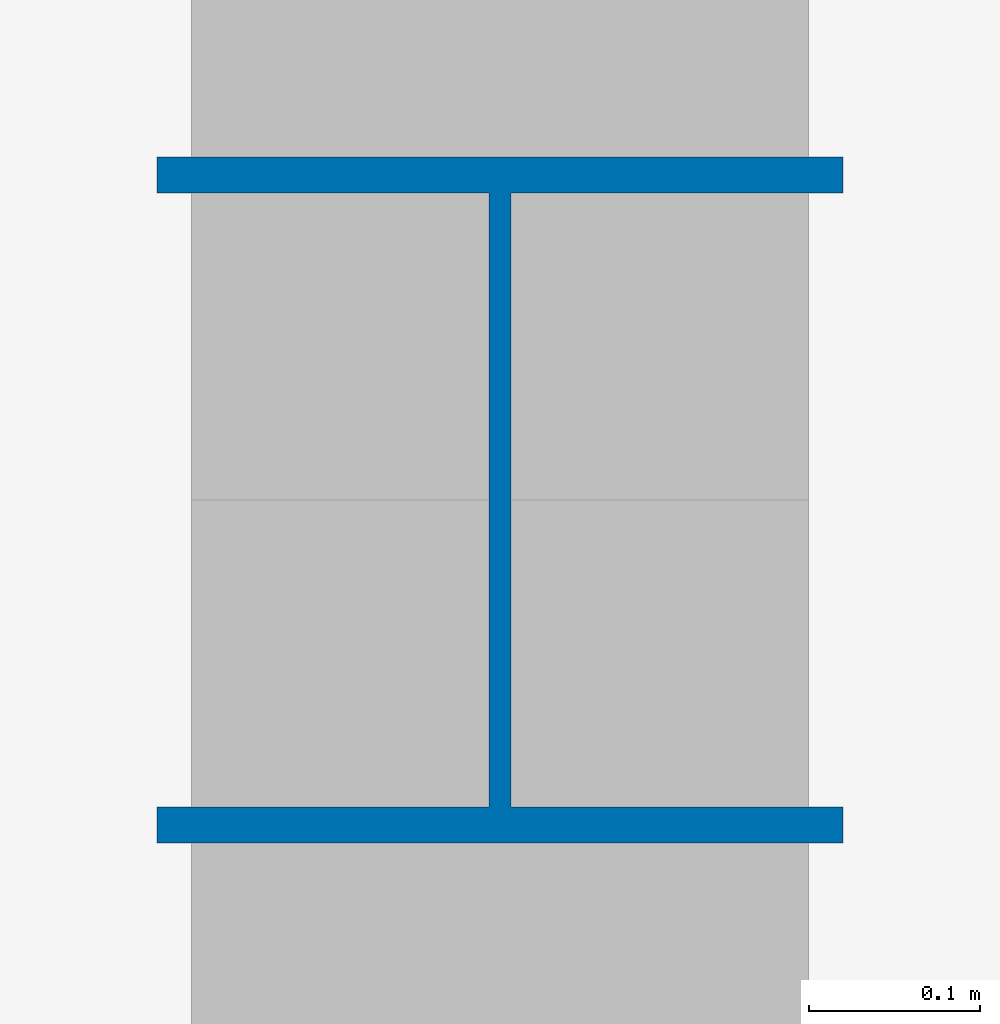
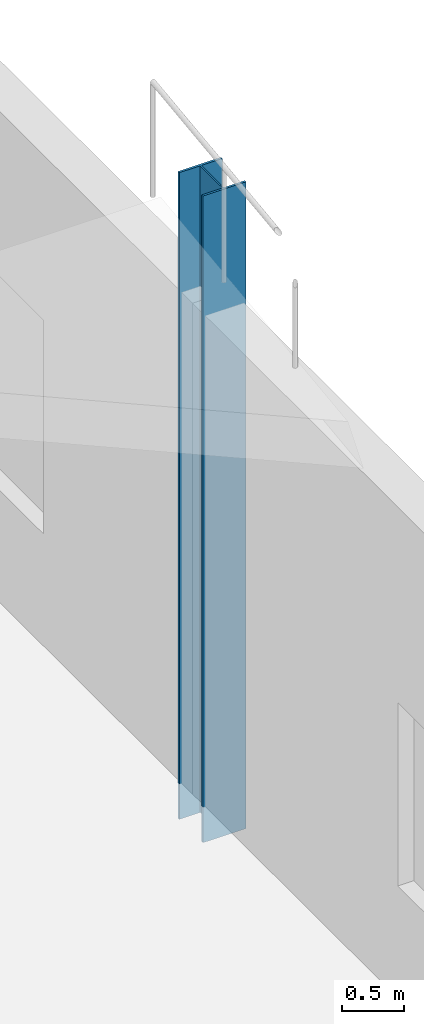
# One storey, part 40 of 139: 1 column.
"""IFC4 building model written with IfcOpenShell, lengths in metres."""

from ifc_helpers import new_model, si_unit, direction, frame, origin, origin_2d, place, context, subcontext, project, spatial, i_section, extrude, material, material_profile, profile_set, type_object, element, save


model = new_model("IFC4")

# Units and contexts
model_context = context("Model", 3, precision=1e-05, world=origin(), true_north=direction((0.0, 1.0)))
body_context = subcontext(model_context, "Body", "Model", "MODEL_VIEW")
ifc_project = project(units=[si_unit("LENGTHUNIT", "METRE"), si_unit("AREAUNIT", "SQUARE_METRE"), si_unit("VOLUMEUNIT", "CUBIC_METRE"), si_unit("PLANEANGLEUNIT", "RADIAN"), si_unit("MASSUNIT", "GRAM", prefix="KILO")], contexts=[model_context])

# Site, building, storey
site_placement = place(None, origin())
site = spatial("IfcSite", under=ifc_project, at=site_placement, CompositionType="ELEMENT")
building_placement = place(site_placement, origin())
building = spatial("IfcBuilding", under=site, at=building_placement, Name="Kazenagashi Tramway Depot", CompositionType="ELEMENT")
storey_placement = place(building_placement, origin())
storey = spatial("IfcBuildingStorey", under=building, at=storey_placement, Name="L01", CompositionType="ELEMENT", Elevation=0.0)

# Column
ifc_material = material(Name="Steel SN490B", Category="steel")
ifc_material_profile = material_profile(ifc_material, i_section(OverallWidth=0.4, OverallDepth=0.4, WebThickness=0.013, FlangeThickness=0.021, at=origin_2d()), Name="H-400x400x13x21")
ifc_profile_set = profile_set([ifc_material_profile], Name="Steel SN490B")
column_type = type_object("IfcColumnType", Name="C-03", PredefinedType="COLUMN", material=ifc_profile_set)
column_placement = place(storey_placement, frame((196.0, 53.9, -0.35), z_axis=(0.0, 0.0, 1.0), x_axis=(1.0, 0.0, 0.0)))
element("IfcColumn", 1, at=column_placement, inside=storey, type_object=column_type, Name="Column C-03 COL-0520", PredefinedType="COLUMN", context=body_context, shape_type="SweptSolid", body=[
    extrude(i_section(OverallWidth=0.4, OverallDepth=0.4, WebThickness=0.013, FlangeThickness=0.021, at=origin_2d()), origin(), (0.0, 0.0, 1.0), 6.35),
])

save(model, "model.ifc")
